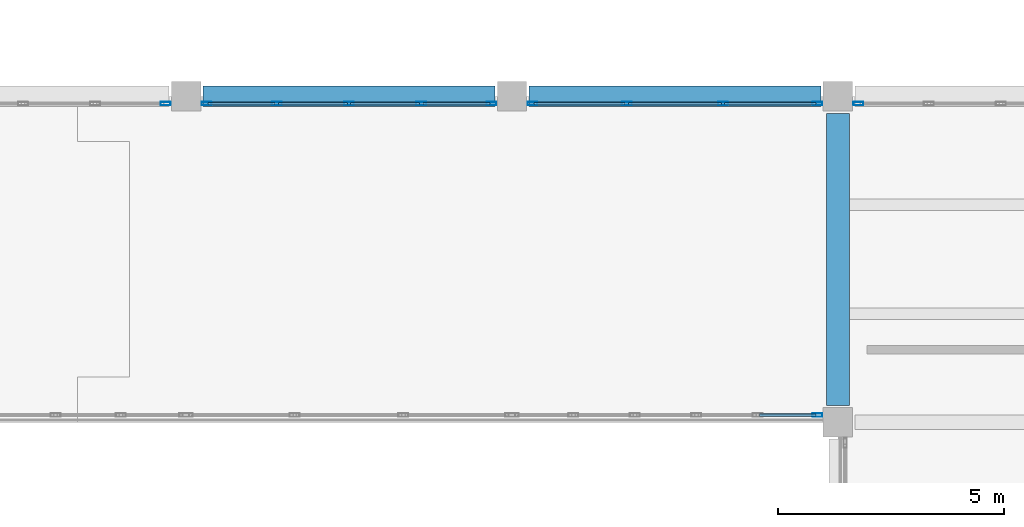
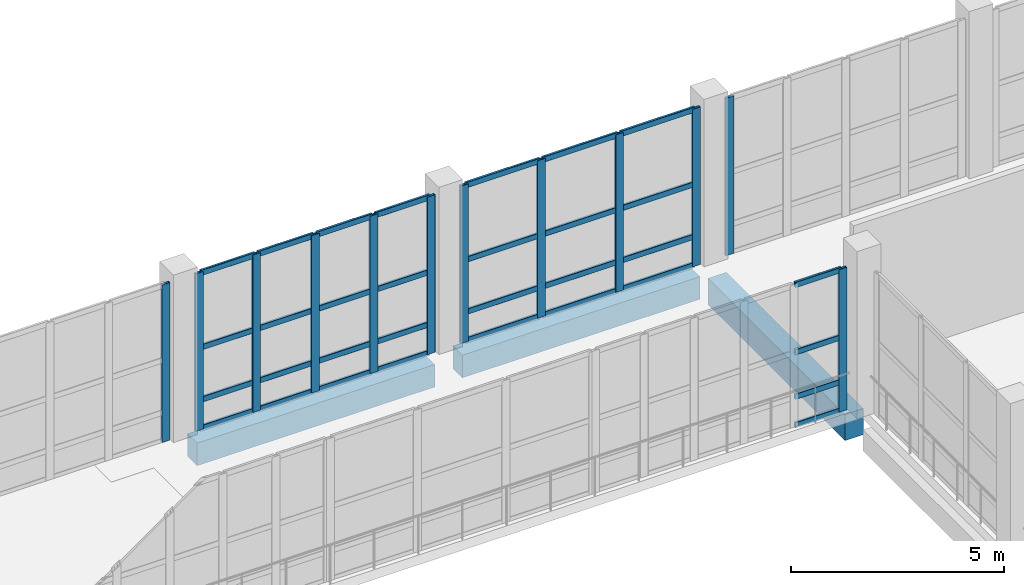
# One storey, part 35 of 127: 44 members, 3 beams, 5 elements without a shape of their own.
"""IFC4 building model written with IfcOpenShell, lengths in metres."""

from ifc_helpers import new_model, si_unit, direction, frame, origin, origin_2d, place, context, subcontext, project, spatial, rectangle, hollow_rectangle, extrude, material, material_profile, profile_set, type_object, element, aggregate, save


model = new_model("IFC4")

# Units and contexts
model_context = context("Model", 3, precision=1e-05, world=origin(), true_north=direction((0.0, 1.0)))
body_context = subcontext(model_context, "Body", "Model", "MODEL_VIEW")
ifc_project = project(units=[si_unit("LENGTHUNIT", "METRE"), si_unit("AREAUNIT", "SQUARE_METRE"), si_unit("VOLUMEUNIT", "CUBIC_METRE"), si_unit("PLANEANGLEUNIT", "RADIAN"), si_unit("MASSUNIT", "GRAM", prefix="KILO")], contexts=[model_context])

# Site, building, storey
site_placement = place(None, origin())
site = spatial("IfcSite", under=ifc_project, at=site_placement, CompositionType="ELEMENT")
building_placement = place(site_placement, origin())
building = spatial("IfcBuilding", under=site, at=building_placement, Name="Kalmorath City Hall", CompositionType="ELEMENT")
storey_placement = place(building_placement, frame((0.0, 0.0, 5.39990234375)))
storey = spatial("IfcBuildingStorey", under=building, at=storey_placement, Name="L01", CompositionType="ELEMENT", Elevation=5.39990234375)

# Beams
ifc_material_1 = material(Name="Concrete C40/50", Category="concrete")
ifc_material_profile_1 = material_profile(ifc_material_1, rectangle(XDim=0.5, YDim=0.75, at=origin_2d()), Name="RC-BM-500X750")
ifc_profile_set_1 = profile_set([ifc_material_profile_1], Name="Concrete C40/50")
beam_type_1 = type_object("IfcBeamType", Name="Concrete floor beam 500x750", PredefinedType="BEAM", material=ifc_profile_set_1)
beam_placement = place(storey_placement, frame((79.199951171875, 36.375, -0.698974609375), z_axis=(0.0, 1.0, 0.0), x_axis=(-1.0, 0.0, 0.0)))
element("IfcBeam", 1, at=beam_placement, inside=storey, type_object=beam_type_1, Name="L01 girder CB3 Y12/6-7", PredefinedType="BEAM", context=body_context, shape_type="SweptSolid", body=[
    extrude(rectangle(XDim=0.5, YDim=0.75, at=origin_2d()), origin(), (0.0, 0.0, 1.0), 6.449951171875),
])
ifc_material_2 = material(Name="Concrete C40/50", Category="concrete")
ifc_material_profile_2 = material_profile(ifc_material_2, rectangle(XDim=0.449951171875, YDim=0.64990234375, at=origin_2d()), Name="RC-BM-450X650")
ifc_profile_set_2 = profile_set([ifc_material_profile_2], Name="Concrete C40/50")
beam_type_2 = type_object("IfcBeamType", Name="Concrete spandrel beam 450x650", PredefinedType="SPANDREL", material=ifc_profile_set_2)
for number, where, z_axis, x_axis, name in (
    (2, (65.175048828125, 43.199951171875, -0.64892578125), (1.0, 0.0, 0.0), (0.0, 1.0, 0.0), "L01 girder CB5 X10-11/7"),
    (3, (72.375, 43.199951171875, -0.64892578125), (1.0, 0.0, 0.0), (0.0, 1.0, 0.0), "L01 girder CB5 X11-12/7"),
):
    element("IfcBeam", number, at=place(storey_placement, frame(where, z_axis=z_axis, x_axis=x_axis)), inside=storey, type_object=beam_type_2, Name=name, PredefinedType="SPANDREL", context=body_context, shape_type="SweptSolid", body=[
        extrude(rectangle(XDim=0.449951171875, YDim=0.64990234375, at=origin_2d()), origin(), (0.0, 0.0, 1.0), 6.449951171875),
    ])

# Curtain wall, member
ifc_material_3 = material(Name="Anodised aluminium and laminated glass", Category="aluminium")
curtain_wall_type_1 = type_object("IfcCurtainWallType", Name="Unitised hurricane curtain wall 6785x4090 M1500", PredefinedType="NOTDEFINED", material=ifc_material_3)
curtain_wall_1_placement = place(storey_placement, origin())
curtain_wall_1 = element("IfcCurtainWall", 4, at=curtain_wall_1_placement, inside=storey, type_object=curtain_wall_type_1, Name="L01 curtain wall CW-68X41M15 #74", PredefinedType="NOTDEFINED")
ifc_material_4 = material(Name="Anodised aluminium framing", Category="aluminium")
ifc_material_profile_3 = material_profile(ifc_material_4, hollow_rectangle(XDim=0.074951171875, YDim=0.219970703125, WallThickness=0.00390625, InnerFilletRadius=0.00390625, OuterFilletRadius=0.008056640625, at=origin_2d()), Name="ALU-MUL-220X75X4")
ifc_profile_set_3 = profile_set([ifc_material_profile_3], Name="Anodised aluminium framing")
member_type_1 = type_object("IfcMemberType", Name="Curtain-wall primary mullion 220x75", PredefinedType="MULLION", material=ifc_profile_set_3)
member_1_placement = place(storey_placement, frame((78.74755859375, 36.159912109375, 0.0), z_axis=(0.0, 0.0, 1.0), x_axis=(0.0, -1.0, 0.0)))
member_1 = element("IfcMember", 5, at=member_1_placement, type_object=member_type_1, Name="CW-68X41M15 mullion 1", PredefinedType="MULLION", context=body_context, shape_type="SweptSolid", body=[
    extrude(hollow_rectangle(XDim=0.074951171875, YDim=0.219970703125, WallThickness=0.00390625, InnerFilletRadius=0.00390625, OuterFilletRadius=0.008056640625, at=origin_2d()), origin(), (0.0, 0.0, 1.0), 4.090087890625),
])

ifc_material_5 = material(Name="Anodised aluminium and laminated glass", Category="aluminium")
curtain_wall_type_2 = type_object("IfcCurtainWallType", Name="Unitised hurricane curtain wall 6370x4520 M1800", PredefinedType="NOTDEFINED", material=ifc_material_5)
curtain_wall_2_placement = place(storey_placement, origin())
curtain_wall_2 = element("IfcCurtainWall", 6, at=curtain_wall_2_placement, inside=storey, type_object=curtain_wall_type_2, Name="L01 curtain wall CW-64X45M18 #85", PredefinedType="NOTDEFINED")
member_2_placement = place(storey_placement, frame((64.347412109375, 43.0400390625, 0.0), z_axis=(0.0, 0.0, 1.0), x_axis=(0.0, 1.0, 0.0)))
member_2 = element("IfcMember", 7, at=member_2_placement, type_object=member_type_1, Name="CW-64X45M18 mullion 5", PredefinedType="MULLION", context=body_context, shape_type="SweptSolid", body=[
    extrude(hollow_rectangle(XDim=0.074951171875, YDim=0.219970703125, WallThickness=0.00390625, InnerFilletRadius=0.00390625, OuterFilletRadius=0.008056640625, at=origin_2d()), origin(), (0.0, 0.0, 1.0), 4.52001953125),
])
aggregate(curtain_wall_2, [member_2])

# Curtain wall, members
ifc_material_6 = material(Name="Anodised aluminium and laminated glass", Category="aluminium")
curtain_wall_type_3 = type_object("IfcCurtainWallType", Name="Unitised hurricane curtain wall 6370x4520 M1500", PredefinedType="NOTDEFINED", material=ifc_material_6)
curtain_wall_3_placement = place(storey_placement, origin())
curtain_wall_3 = element("IfcCurtainWall", 8, at=curtain_wall_3_placement, inside=storey, type_object=curtain_wall_type_3, Name="L01 curtain wall CW-64X45M15 #86", PredefinedType="NOTDEFINED")
member_3_placement = place(storey_placement, frame((65.25244140625, 43.0400390625, 0.0), z_axis=(0.0, 0.0, 1.0), x_axis=(0.0, 1.0, 0.0)))
member_3 = element("IfcMember", 9, at=member_3_placement, type_object=member_type_1, Name="CW-64X45M15 mullion 1", PredefinedType="MULLION", context=body_context, shape_type="SweptSolid", body=[
    extrude(hollow_rectangle(XDim=0.074951171875, YDim=0.219970703125, WallThickness=0.00390625, InnerFilletRadius=0.00390625, OuterFilletRadius=0.008056640625, at=origin_2d()), origin(), (0.0, 0.0, 1.0), 4.52001953125),
])
member_4_placement = place(storey_placement, frame((66.8076171875, 43.0400390625, 0.0), z_axis=(0.0, 0.0, 1.0), x_axis=(0.0, 1.0, 0.0)))
member_4 = element("IfcMember", 10, at=member_4_placement, type_object=member_type_1, Name="CW-64X45M15 mullion 2", PredefinedType="MULLION", context=body_context, shape_type="SweptSolid", body=[
    extrude(hollow_rectangle(XDim=0.074951171875, YDim=0.219970703125, WallThickness=0.00390625, InnerFilletRadius=0.00390625, OuterFilletRadius=0.008056640625, at=origin_2d()), origin(), (0.0, 0.0, 1.0), 4.52001953125),
])
member_5_placement = place(storey_placement, frame((68.39990234375, 43.0400390625, 0.0), z_axis=(0.0, 0.0, 1.0), x_axis=(0.0, 1.0, 0.0)))
member_5 = element("IfcMember", 11, at=member_5_placement, type_object=member_type_1, Name="CW-64X45M15 mullion 3", PredefinedType="MULLION", context=body_context, shape_type="SweptSolid", body=[
    extrude(hollow_rectangle(XDim=0.074951171875, YDim=0.219970703125, WallThickness=0.00390625, InnerFilletRadius=0.00390625, OuterFilletRadius=0.008056640625, at=origin_2d()), origin(), (0.0, 0.0, 1.0), 4.52001953125),
])
member_6_placement = place(storey_placement, frame((69.992431640625, 43.0400390625, 0.0), z_axis=(0.0, 0.0, 1.0), x_axis=(0.0, 1.0, 0.0)))
member_6 = element("IfcMember", 12, at=member_6_placement, type_object=member_type_1, Name="CW-64X45M15 mullion 4", PredefinedType="MULLION", context=body_context, shape_type="SweptSolid", body=[
    extrude(hollow_rectangle(XDim=0.074951171875, YDim=0.219970703125, WallThickness=0.00390625, InnerFilletRadius=0.00390625, OuterFilletRadius=0.008056640625, at=origin_2d()), origin(), (0.0, 0.0, 1.0), 4.52001953125),
])
member_7_placement = place(storey_placement, frame((71.547607421875, 43.0400390625, 0.0), z_axis=(0.0, 0.0, 1.0), x_axis=(0.0, 1.0, 0.0)))
member_7 = element("IfcMember", 13, at=member_7_placement, type_object=member_type_1, Name="CW-64X45M15 mullion 5", PredefinedType="MULLION", context=body_context, shape_type="SweptSolid", body=[
    extrude(hollow_rectangle(XDim=0.074951171875, YDim=0.219970703125, WallThickness=0.00390625, InnerFilletRadius=0.00390625, OuterFilletRadius=0.008056640625, at=origin_2d()), origin(), (0.0, 0.0, 1.0), 4.52001953125),
])

ifc_material_7 = material(Name="Anodised aluminium and laminated glass", Category="aluminium")
curtain_wall_type_4 = type_object("IfcCurtainWallType", Name="Unitised hurricane curtain wall 6370x4520 M2100", PredefinedType="NOTDEFINED", material=ifc_material_7)
curtain_wall_4_placement = place(storey_placement, origin())
curtain_wall_4 = element("IfcCurtainWall", 14, at=curtain_wall_4_placement, inside=storey, type_object=curtain_wall_type_4, Name="L01 curtain wall CW-64X45M21 #87", PredefinedType="NOTDEFINED")
member_8_placement = place(storey_placement, frame((72.452392578125, 43.0400390625, 0.0), z_axis=(0.0, 0.0, 1.0), x_axis=(0.0, 1.0, 0.0)))
member_8 = element("IfcMember", 15, at=member_8_placement, type_object=member_type_1, Name="CW-64X45M21 mullion 1", PredefinedType="MULLION", context=body_context, shape_type="SweptSolid", body=[
    extrude(hollow_rectangle(XDim=0.074951171875, YDim=0.219970703125, WallThickness=0.00390625, InnerFilletRadius=0.00390625, OuterFilletRadius=0.008056640625, at=origin_2d()), origin(), (0.0, 0.0, 1.0), 4.52001953125),
])
member_9_placement = place(storey_placement, frame((74.538330078125, 43.0400390625, 0.0), z_axis=(0.0, 0.0, 1.0), x_axis=(0.0, 1.0, 0.0)))
member_9 = element("IfcMember", 16, at=member_9_placement, type_object=member_type_1, Name="CW-64X45M21 mullion 2", PredefinedType="MULLION", context=body_context, shape_type="SweptSolid", body=[
    extrude(hollow_rectangle(XDim=0.074951171875, YDim=0.219970703125, WallThickness=0.00390625, InnerFilletRadius=0.00390625, OuterFilletRadius=0.008056640625, at=origin_2d()), origin(), (0.0, 0.0, 1.0), 4.52001953125),
])
member_10_placement = place(storey_placement, frame((76.66162109375, 43.0400390625, 0.0), z_axis=(0.0, 0.0, 1.0), x_axis=(0.0, 1.0, 0.0)))
member_10 = element("IfcMember", 17, at=member_10_placement, type_object=member_type_1, Name="CW-64X45M21 mullion 3", PredefinedType="MULLION", context=body_context, shape_type="SweptSolid", body=[
    extrude(hollow_rectangle(XDim=0.074951171875, YDim=0.219970703125, WallThickness=0.00390625, InnerFilletRadius=0.00390625, OuterFilletRadius=0.008056640625, at=origin_2d()), origin(), (0.0, 0.0, 1.0), 4.52001953125),
])
member_11_placement = place(storey_placement, frame((78.74755859375, 43.0400390625, 0.0), z_axis=(0.0, 0.0, 1.0), x_axis=(0.0, 1.0, 0.0)))
member_11 = element("IfcMember", 18, at=member_11_placement, type_object=member_type_1, Name="CW-64X45M21 mullion 4", PredefinedType="MULLION", context=body_context, shape_type="SweptSolid", body=[
    extrude(hollow_rectangle(XDim=0.074951171875, YDim=0.219970703125, WallThickness=0.00390625, InnerFilletRadius=0.00390625, OuterFilletRadius=0.008056640625, at=origin_2d()), origin(), (0.0, 0.0, 1.0), 4.52001953125),
])

# Curtain wall, member
curtain_wall_5_placement = place(storey_placement, origin())
curtain_wall_5 = element("IfcCurtainWall", 19, at=curtain_wall_5_placement, inside=storey, type_object=curtain_wall_type_3, Name="L01 curtain wall CW-64X45M15 #88", PredefinedType="NOTDEFINED")
member_12_placement = place(storey_placement, frame((79.652587890625, 43.0400390625, 0.0), z_axis=(0.0, 0.0, 1.0), x_axis=(0.0, 1.0, 0.0)))
member_12 = element("IfcMember", 20, at=member_12_placement, type_object=member_type_1, Name="CW-64X45M15 mullion 1", PredefinedType="MULLION", context=body_context, shape_type="SweptSolid", body=[
    extrude(hollow_rectangle(XDim=0.074951171875, YDim=0.219970703125, WallThickness=0.00390625, InnerFilletRadius=0.00390625, OuterFilletRadius=0.008056640625, at=origin_2d()), origin(), (0.0, 0.0, 1.0), 4.52001953125),
])
aggregate(curtain_wall_5, [member_12])

# Member
ifc_material_8 = material(Name="Anodised aluminium framing", Category="aluminium")
ifc_material_profile_4 = material_profile(ifc_material_8, hollow_rectangle(XDim=0.06494140625, YDim=0.159912109375, WallThickness=0.00390625, InnerFilletRadius=0.00390625, OuterFilletRadius=0.008056640625, at=origin_2d()), Name="ALU-TRN-160X65X4")
ifc_profile_set_4 = profile_set([ifc_material_profile_4], Name="Anodised aluminium framing")
member_type_2 = type_object("IfcMemberType", Name="Curtain-wall primary transom 160x65", PredefinedType="USERDEFINED", material=ifc_profile_set_4)
member_13_placement = place(storey_placement, frame((78.7099609375, 36.159912109375, 0.03271484375), z_axis=(-1.0, 0.0, 0.0), x_axis=(0.0, -1.0, 0.0)))
member_13 = element("IfcMember", 21, at=member_13_placement, type_object=member_type_2, Name="CW-68X41M15 transom 1.1", ObjectType="TRANSOM", PredefinedType="USERDEFINED", context=body_context, shape_type="SweptSolid", body=[
    extrude(hollow_rectangle(XDim=0.06494140625, YDim=0.159912109375, WallThickness=0.00390625, InnerFilletRadius=0.00390625, OuterFilletRadius=0.008056640625, at=origin_2d()), origin(), (0.0, 0.0, 1.0), 1.244384765625),
])

member_14_placement = place(storey_placement, frame((78.7099609375, 36.159912109375, 0.85009765625), z_axis=(-1.0, 0.0, 0.0), x_axis=(0.0, -1.0, 0.0)))
member_14 = element("IfcMember", 22, at=member_14_placement, type_object=member_type_2, Name="CW-68X41M15 transom 1.2", ObjectType="TRANSOM", PredefinedType="USERDEFINED", context=body_context, shape_type="SweptSolid", body=[
    extrude(hollow_rectangle(XDim=0.06494140625, YDim=0.159912109375, WallThickness=0.00390625, InnerFilletRadius=0.00390625, OuterFilletRadius=0.008056640625, at=origin_2d()), origin(), (0.0, 0.0, 1.0), 1.244384765625),
])

member_15_placement = place(storey_placement, frame((78.7099609375, 36.159912109375, 2.127197265625), z_axis=(-1.0, 0.0, 0.0), x_axis=(0.0, -1.0, 0.0)))
member_15 = element("IfcMember", 23, at=member_15_placement, type_object=member_type_2, Name="CW-68X41M15 transom 1.3", ObjectType="TRANSOM", PredefinedType="USERDEFINED", context=body_context, shape_type="SweptSolid", body=[
    extrude(hollow_rectangle(XDim=0.06494140625, YDim=0.159912109375, WallThickness=0.00390625, InnerFilletRadius=0.00390625, OuterFilletRadius=0.008056640625, at=origin_2d()), origin(), (0.0, 0.0, 1.0), 1.244384765625),
])

member_16_placement = place(storey_placement, frame((78.7099609375, 36.159912109375, 4.0576171875), z_axis=(-1.0, 0.0, 0.0), x_axis=(0.0, -1.0, 0.0)))
member_16 = element("IfcMember", 24, at=member_16_placement, type_object=member_type_2, Name="CW-68X41M15 transom 1.4", ObjectType="TRANSOM", PredefinedType="USERDEFINED", context=body_context, shape_type="SweptSolid", body=[
    extrude(hollow_rectangle(XDim=0.06494140625, YDim=0.159912109375, WallThickness=0.00390625, InnerFilletRadius=0.00390625, OuterFilletRadius=0.008056640625, at=origin_2d()), origin(), (0.0, 0.0, 1.0), 1.244384765625),
])

aggregate(curtain_wall_1, [member_1, member_13, member_14, member_15, member_16])

member_17_placement = place(storey_placement, frame((65.2900390625, 43.0400390625, 0.03271484375), z_axis=(1.0, 0.0, 0.0), x_axis=(0.0, 1.0, 0.0)))
member_17 = element("IfcMember", 25, at=member_17_placement, type_object=member_type_2, Name="CW-64X45M15 transom 1.1", ObjectType="TRANSOM", PredefinedType="USERDEFINED", context=body_context, shape_type="SweptSolid", body=[
    extrude(hollow_rectangle(XDim=0.06494140625, YDim=0.159912109375, WallThickness=0.00390625, InnerFilletRadius=0.00390625, OuterFilletRadius=0.008056640625, at=origin_2d()), origin(), (0.0, 0.0, 1.0), 1.47998046875),
])

member_18_placement = place(storey_placement, frame((65.2900390625, 43.0400390625, 0.85009765625), z_axis=(1.0, 0.0, 0.0), x_axis=(0.0, 1.0, 0.0)))
member_18 = element("IfcMember", 26, at=member_18_placement, type_object=member_type_2, Name="CW-64X45M15 transom 1.2", ObjectType="TRANSOM", PredefinedType="USERDEFINED", context=body_context, shape_type="SweptSolid", body=[
    extrude(hollow_rectangle(XDim=0.06494140625, YDim=0.159912109375, WallThickness=0.00390625, InnerFilletRadius=0.00390625, OuterFilletRadius=0.008056640625, at=origin_2d()), origin(), (0.0, 0.0, 1.0), 1.47998046875),
])

member_19_placement = place(storey_placement, frame((65.2900390625, 43.0400390625, 2.35009765625), z_axis=(1.0, 0.0, 0.0), x_axis=(0.0, 1.0, 0.0)))
member_19 = element("IfcMember", 27, at=member_19_placement, type_object=member_type_2, Name="CW-64X45M15 transom 1.3", ObjectType="TRANSOM", PredefinedType="USERDEFINED", context=body_context, shape_type="SweptSolid", body=[
    extrude(hollow_rectangle(XDim=0.06494140625, YDim=0.159912109375, WallThickness=0.00390625, InnerFilletRadius=0.00390625, OuterFilletRadius=0.008056640625, at=origin_2d()), origin(), (0.0, 0.0, 1.0), 1.47998046875),
])

member_20_placement = place(storey_placement, frame((65.2900390625, 43.0400390625, 4.487548828125), z_axis=(1.0, 0.0, 0.0), x_axis=(0.0, 1.0, 0.0)))
member_20 = element("IfcMember", 28, at=member_20_placement, type_object=member_type_2, Name="CW-64X45M15 transom 1.4", ObjectType="TRANSOM", PredefinedType="USERDEFINED", context=body_context, shape_type="SweptSolid", body=[
    extrude(hollow_rectangle(XDim=0.06494140625, YDim=0.159912109375, WallThickness=0.00390625, InnerFilletRadius=0.00390625, OuterFilletRadius=0.008056640625, at=origin_2d()), origin(), (0.0, 0.0, 1.0), 1.47998046875),
])

member_21_placement = place(storey_placement, frame((66.844970703125, 43.0400390625, 0.03271484375), z_axis=(1.0, 0.0, 0.0), x_axis=(0.0, 1.0, 0.0)))
member_21 = element("IfcMember", 29, at=member_21_placement, type_object=member_type_2, Name="CW-64X45M15 transom 2.1", ObjectType="TRANSOM", PredefinedType="USERDEFINED", context=body_context, shape_type="SweptSolid", body=[
    extrude(hollow_rectangle(XDim=0.06494140625, YDim=0.159912109375, WallThickness=0.00390625, InnerFilletRadius=0.00390625, OuterFilletRadius=0.008056640625, at=origin_2d()), origin(), (0.0, 0.0, 1.0), 1.517578125),
])

member_22_placement = place(storey_placement, frame((66.844970703125, 43.0400390625, 0.85009765625), z_axis=(1.0, 0.0, 0.0), x_axis=(0.0, 1.0, 0.0)))
member_22 = element("IfcMember", 30, at=member_22_placement, type_object=member_type_2, Name="CW-64X45M15 transom 2.2", ObjectType="TRANSOM", PredefinedType="USERDEFINED", context=body_context, shape_type="SweptSolid", body=[
    extrude(hollow_rectangle(XDim=0.06494140625, YDim=0.159912109375, WallThickness=0.00390625, InnerFilletRadius=0.00390625, OuterFilletRadius=0.008056640625, at=origin_2d()), origin(), (0.0, 0.0, 1.0), 1.517578125),
])

member_23_placement = place(storey_placement, frame((66.844970703125, 43.0400390625, 2.35009765625), z_axis=(1.0, 0.0, 0.0), x_axis=(0.0, 1.0, 0.0)))
member_23 = element("IfcMember", 31, at=member_23_placement, type_object=member_type_2, Name="CW-64X45M15 transom 2.3", ObjectType="TRANSOM", PredefinedType="USERDEFINED", context=body_context, shape_type="SweptSolid", body=[
    extrude(hollow_rectangle(XDim=0.06494140625, YDim=0.159912109375, WallThickness=0.00390625, InnerFilletRadius=0.00390625, OuterFilletRadius=0.008056640625, at=origin_2d()), origin(), (0.0, 0.0, 1.0), 1.517578125),
])

member_24_placement = place(storey_placement, frame((66.844970703125, 43.0400390625, 4.487548828125), z_axis=(1.0, 0.0, 0.0), x_axis=(0.0, 1.0, 0.0)))
member_24 = element("IfcMember", 32, at=member_24_placement, type_object=member_type_2, Name="CW-64X45M15 transom 2.4", ObjectType="TRANSOM", PredefinedType="USERDEFINED", context=body_context, shape_type="SweptSolid", body=[
    extrude(hollow_rectangle(XDim=0.06494140625, YDim=0.159912109375, WallThickness=0.00390625, InnerFilletRadius=0.00390625, OuterFilletRadius=0.008056640625, at=origin_2d()), origin(), (0.0, 0.0, 1.0), 1.517578125),
])

member_25_placement = place(storey_placement, frame((68.4375, 43.0400390625, 0.03271484375), z_axis=(1.0, 0.0, 0.0), x_axis=(0.0, 1.0, 0.0)))
member_25 = element("IfcMember", 33, at=member_25_placement, type_object=member_type_2, Name="CW-64X45M15 transom 3.1", ObjectType="TRANSOM", PredefinedType="USERDEFINED", context=body_context, shape_type="SweptSolid", body=[
    extrude(hollow_rectangle(XDim=0.06494140625, YDim=0.159912109375, WallThickness=0.00390625, InnerFilletRadius=0.00390625, OuterFilletRadius=0.008056640625, at=origin_2d()), origin(), (0.0, 0.0, 1.0), 1.517578125),
])

member_26_placement = place(storey_placement, frame((68.4375, 43.0400390625, 0.85009765625), z_axis=(1.0, 0.0, 0.0), x_axis=(0.0, 1.0, 0.0)))
member_26 = element("IfcMember", 34, at=member_26_placement, type_object=member_type_2, Name="CW-64X45M15 transom 3.2", ObjectType="TRANSOM", PredefinedType="USERDEFINED", context=body_context, shape_type="SweptSolid", body=[
    extrude(hollow_rectangle(XDim=0.06494140625, YDim=0.159912109375, WallThickness=0.00390625, InnerFilletRadius=0.00390625, OuterFilletRadius=0.008056640625, at=origin_2d()), origin(), (0.0, 0.0, 1.0), 1.517578125),
])

member_27_placement = place(storey_placement, frame((68.4375, 43.0400390625, 2.35009765625), z_axis=(1.0, 0.0, 0.0), x_axis=(0.0, 1.0, 0.0)))
member_27 = element("IfcMember", 35, at=member_27_placement, type_object=member_type_2, Name="CW-64X45M15 transom 3.3", ObjectType="TRANSOM", PredefinedType="USERDEFINED", context=body_context, shape_type="SweptSolid", body=[
    extrude(hollow_rectangle(XDim=0.06494140625, YDim=0.159912109375, WallThickness=0.00390625, InnerFilletRadius=0.00390625, OuterFilletRadius=0.008056640625, at=origin_2d()), origin(), (0.0, 0.0, 1.0), 1.517578125),
])

member_28_placement = place(storey_placement, frame((68.4375, 43.0400390625, 4.487548828125), z_axis=(1.0, 0.0, 0.0), x_axis=(0.0, 1.0, 0.0)))
member_28 = element("IfcMember", 36, at=member_28_placement, type_object=member_type_2, Name="CW-64X45M15 transom 3.4", ObjectType="TRANSOM", PredefinedType="USERDEFINED", context=body_context, shape_type="SweptSolid", body=[
    extrude(hollow_rectangle(XDim=0.06494140625, YDim=0.159912109375, WallThickness=0.00390625, InnerFilletRadius=0.00390625, OuterFilletRadius=0.008056640625, at=origin_2d()), origin(), (0.0, 0.0, 1.0), 1.517578125),
])

member_29_placement = place(storey_placement, frame((70.030029296875, 43.0400390625, 0.03271484375), z_axis=(1.0, 0.0, 0.0), x_axis=(0.0, 1.0, 0.0)))
member_29 = element("IfcMember", 37, at=member_29_placement, type_object=member_type_2, Name="CW-64X45M15 transom 4.1", ObjectType="TRANSOM", PredefinedType="USERDEFINED", context=body_context, shape_type="SweptSolid", body=[
    extrude(hollow_rectangle(XDim=0.06494140625, YDim=0.159912109375, WallThickness=0.00390625, InnerFilletRadius=0.00390625, OuterFilletRadius=0.008056640625, at=origin_2d()), origin(), (0.0, 0.0, 1.0), 1.47998046875),
])

member_30_placement = place(storey_placement, frame((70.030029296875, 43.0400390625, 0.85009765625), z_axis=(1.0, 0.0, 0.0), x_axis=(0.0, 1.0, 0.0)))
member_30 = element("IfcMember", 38, at=member_30_placement, type_object=member_type_2, Name="CW-64X45M15 transom 4.2", ObjectType="TRANSOM", PredefinedType="USERDEFINED", context=body_context, shape_type="SweptSolid", body=[
    extrude(hollow_rectangle(XDim=0.06494140625, YDim=0.159912109375, WallThickness=0.00390625, InnerFilletRadius=0.00390625, OuterFilletRadius=0.008056640625, at=origin_2d()), origin(), (0.0, 0.0, 1.0), 1.47998046875),
])

member_31_placement = place(storey_placement, frame((70.030029296875, 43.0400390625, 2.35009765625), z_axis=(1.0, 0.0, 0.0), x_axis=(0.0, 1.0, 0.0)))
member_31 = element("IfcMember", 39, at=member_31_placement, type_object=member_type_2, Name="CW-64X45M15 transom 4.3", ObjectType="TRANSOM", PredefinedType="USERDEFINED", context=body_context, shape_type="SweptSolid", body=[
    extrude(hollow_rectangle(XDim=0.06494140625, YDim=0.159912109375, WallThickness=0.00390625, InnerFilletRadius=0.00390625, OuterFilletRadius=0.008056640625, at=origin_2d()), origin(), (0.0, 0.0, 1.0), 1.47998046875),
])

member_32_placement = place(storey_placement, frame((70.030029296875, 43.0400390625, 4.487548828125), z_axis=(1.0, 0.0, 0.0), x_axis=(0.0, 1.0, 0.0)))
member_32 = element("IfcMember", 40, at=member_32_placement, type_object=member_type_2, Name="CW-64X45M15 transom 4.4", ObjectType="TRANSOM", PredefinedType="USERDEFINED", context=body_context, shape_type="SweptSolid", body=[
    extrude(hollow_rectangle(XDim=0.06494140625, YDim=0.159912109375, WallThickness=0.00390625, InnerFilletRadius=0.00390625, OuterFilletRadius=0.008056640625, at=origin_2d()), origin(), (0.0, 0.0, 1.0), 1.47998046875),
])

aggregate(curtain_wall_3, [member_3, member_4, member_5, member_6, member_7, member_17, member_18, member_19, member_20, member_21, member_22, member_23, member_24, member_25, member_26, member_27, member_28, member_29, member_30, member_31, member_32])

member_33_placement = place(storey_placement, frame((72.489990234375, 43.0400390625, 0.03271484375), z_axis=(1.0, 0.0, 0.0), x_axis=(0.0, 1.0, 0.0)))
member_33 = element("IfcMember", 41, at=member_33_placement, type_object=member_type_2, Name="CW-64X45M21 transom 1.1", ObjectType="TRANSOM", PredefinedType="USERDEFINED", context=body_context, shape_type="SweptSolid", body=[
    extrude(hollow_rectangle(XDim=0.06494140625, YDim=0.159912109375, WallThickness=0.00390625, InnerFilletRadius=0.00390625, OuterFilletRadius=0.008056640625, at=origin_2d()), origin(), (0.0, 0.0, 1.0), 2.0107421875),
])

member_34_placement = place(storey_placement, frame((72.489990234375, 43.0400390625, 0.85009765625), z_axis=(1.0, 0.0, 0.0), x_axis=(0.0, 1.0, 0.0)))
member_34 = element("IfcMember", 42, at=member_34_placement, type_object=member_type_2, Name="CW-64X45M21 transom 1.2", ObjectType="TRANSOM", PredefinedType="USERDEFINED", context=body_context, shape_type="SweptSolid", body=[
    extrude(hollow_rectangle(XDim=0.06494140625, YDim=0.159912109375, WallThickness=0.00390625, InnerFilletRadius=0.00390625, OuterFilletRadius=0.008056640625, at=origin_2d()), origin(), (0.0, 0.0, 1.0), 2.0107421875),
])

member_35_placement = place(storey_placement, frame((72.489990234375, 43.0400390625, 2.35009765625), z_axis=(1.0, 0.0, 0.0), x_axis=(0.0, 1.0, 0.0)))
member_35 = element("IfcMember", 43, at=member_35_placement, type_object=member_type_2, Name="CW-64X45M21 transom 1.3", ObjectType="TRANSOM", PredefinedType="USERDEFINED", context=body_context, shape_type="SweptSolid", body=[
    extrude(hollow_rectangle(XDim=0.06494140625, YDim=0.159912109375, WallThickness=0.00390625, InnerFilletRadius=0.00390625, OuterFilletRadius=0.008056640625, at=origin_2d()), origin(), (0.0, 0.0, 1.0), 2.0107421875),
])

member_36_placement = place(storey_placement, frame((72.489990234375, 43.0400390625, 4.487548828125), z_axis=(1.0, 0.0, 0.0), x_axis=(0.0, 1.0, 0.0)))
member_36 = element("IfcMember", 44, at=member_36_placement, type_object=member_type_2, Name="CW-64X45M21 transom 1.4", ObjectType="TRANSOM", PredefinedType="USERDEFINED", context=body_context, shape_type="SweptSolid", body=[
    extrude(hollow_rectangle(XDim=0.06494140625, YDim=0.159912109375, WallThickness=0.00390625, InnerFilletRadius=0.00390625, OuterFilletRadius=0.008056640625, at=origin_2d()), origin(), (0.0, 0.0, 1.0), 2.0107421875),
])

member_37_placement = place(storey_placement, frame((74.575927734375, 43.0400390625, 0.03271484375), z_axis=(1.0, 0.0, 0.0), x_axis=(0.0, 1.0, 0.0)))
member_37 = element("IfcMember", 45, at=member_37_placement, type_object=member_type_2, Name="CW-64X45M21 transom 2.1", ObjectType="TRANSOM", PredefinedType="USERDEFINED", context=body_context, shape_type="SweptSolid", body=[
    extrude(hollow_rectangle(XDim=0.06494140625, YDim=0.159912109375, WallThickness=0.00390625, InnerFilletRadius=0.00390625, OuterFilletRadius=0.008056640625, at=origin_2d()), origin(), (0.0, 0.0, 1.0), 2.04833984375),
])

member_38_placement = place(storey_placement, frame((74.575927734375, 43.0400390625, 0.85009765625), z_axis=(1.0, 0.0, 0.0), x_axis=(0.0, 1.0, 0.0)))
member_38 = element("IfcMember", 46, at=member_38_placement, type_object=member_type_2, Name="CW-64X45M21 transom 2.2", ObjectType="TRANSOM", PredefinedType="USERDEFINED", context=body_context, shape_type="SweptSolid", body=[
    extrude(hollow_rectangle(XDim=0.06494140625, YDim=0.159912109375, WallThickness=0.00390625, InnerFilletRadius=0.00390625, OuterFilletRadius=0.008056640625, at=origin_2d()), origin(), (0.0, 0.0, 1.0), 2.04833984375),
])

member_39_placement = place(storey_placement, frame((74.575927734375, 43.0400390625, 2.35009765625), z_axis=(1.0, 0.0, 0.0), x_axis=(0.0, 1.0, 0.0)))
member_39 = element("IfcMember", 47, at=member_39_placement, type_object=member_type_2, Name="CW-64X45M21 transom 2.3", ObjectType="TRANSOM", PredefinedType="USERDEFINED", context=body_context, shape_type="SweptSolid", body=[
    extrude(hollow_rectangle(XDim=0.06494140625, YDim=0.159912109375, WallThickness=0.00390625, InnerFilletRadius=0.00390625, OuterFilletRadius=0.008056640625, at=origin_2d()), origin(), (0.0, 0.0, 1.0), 2.04833984375),
])

member_40_placement = place(storey_placement, frame((74.575927734375, 43.0400390625, 4.487548828125), z_axis=(1.0, 0.0, 0.0), x_axis=(0.0, 1.0, 0.0)))
member_40 = element("IfcMember", 48, at=member_40_placement, type_object=member_type_2, Name="CW-64X45M21 transom 2.4", ObjectType="TRANSOM", PredefinedType="USERDEFINED", context=body_context, shape_type="SweptSolid", body=[
    extrude(hollow_rectangle(XDim=0.06494140625, YDim=0.159912109375, WallThickness=0.00390625, InnerFilletRadius=0.00390625, OuterFilletRadius=0.008056640625, at=origin_2d()), origin(), (0.0, 0.0, 1.0), 2.04833984375),
])

member_41_placement = place(storey_placement, frame((76.69921875, 43.0400390625, 0.03271484375), z_axis=(1.0, 0.0, 0.0), x_axis=(0.0, 1.0, 0.0)))
member_41 = element("IfcMember", 49, at=member_41_placement, type_object=member_type_2, Name="CW-64X45M21 transom 3.1", ObjectType="TRANSOM", PredefinedType="USERDEFINED", context=body_context, shape_type="SweptSolid", body=[
    extrude(hollow_rectangle(XDim=0.06494140625, YDim=0.159912109375, WallThickness=0.00390625, InnerFilletRadius=0.00390625, OuterFilletRadius=0.008056640625, at=origin_2d()), origin(), (0.0, 0.0, 1.0), 2.0107421875),
])

member_42_placement = place(storey_placement, frame((76.69921875, 43.0400390625, 0.85009765625), z_axis=(1.0, 0.0, 0.0), x_axis=(0.0, 1.0, 0.0)))
member_42 = element("IfcMember", 50, at=member_42_placement, type_object=member_type_2, Name="CW-64X45M21 transom 3.2", ObjectType="TRANSOM", PredefinedType="USERDEFINED", context=body_context, shape_type="SweptSolid", body=[
    extrude(hollow_rectangle(XDim=0.06494140625, YDim=0.159912109375, WallThickness=0.00390625, InnerFilletRadius=0.00390625, OuterFilletRadius=0.008056640625, at=origin_2d()), origin(), (0.0, 0.0, 1.0), 2.0107421875),
])

member_43_placement = place(storey_placement, frame((76.69921875, 43.0400390625, 2.35009765625), z_axis=(1.0, 0.0, 0.0), x_axis=(0.0, 1.0, 0.0)))
member_43 = element("IfcMember", 51, at=member_43_placement, type_object=member_type_2, Name="CW-64X45M21 transom 3.3", ObjectType="TRANSOM", PredefinedType="USERDEFINED", context=body_context, shape_type="SweptSolid", body=[
    extrude(hollow_rectangle(XDim=0.06494140625, YDim=0.159912109375, WallThickness=0.00390625, InnerFilletRadius=0.00390625, OuterFilletRadius=0.008056640625, at=origin_2d()), origin(), (0.0, 0.0, 1.0), 2.0107421875),
])

member_44_placement = place(storey_placement, frame((76.69921875, 43.0400390625, 4.487548828125), z_axis=(1.0, 0.0, 0.0), x_axis=(0.0, 1.0, 0.0)))
member_44 = element("IfcMember", 52, at=member_44_placement, type_object=member_type_2, Name="CW-64X45M21 transom 3.4", ObjectType="TRANSOM", PredefinedType="USERDEFINED", context=body_context, shape_type="SweptSolid", body=[
    extrude(hollow_rectangle(XDim=0.06494140625, YDim=0.159912109375, WallThickness=0.00390625, InnerFilletRadius=0.00390625, OuterFilletRadius=0.008056640625, at=origin_2d()), origin(), (0.0, 0.0, 1.0), 2.0107421875),
])

aggregate(curtain_wall_4, [member_8, member_9, member_10, member_11, member_33, member_34, member_35, member_36, member_37, member_38, member_39, member_40, member_41, member_42, member_43, member_44])

save(model, "model.ifc")
